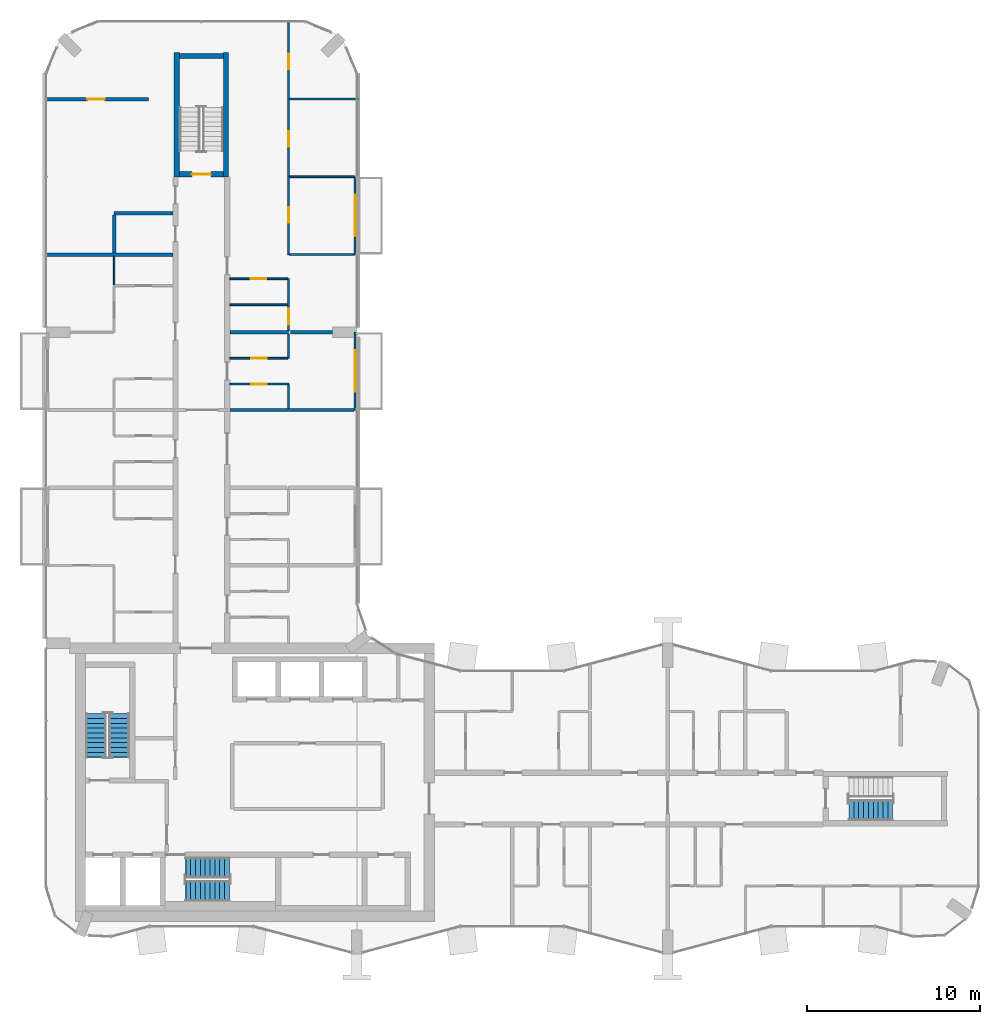
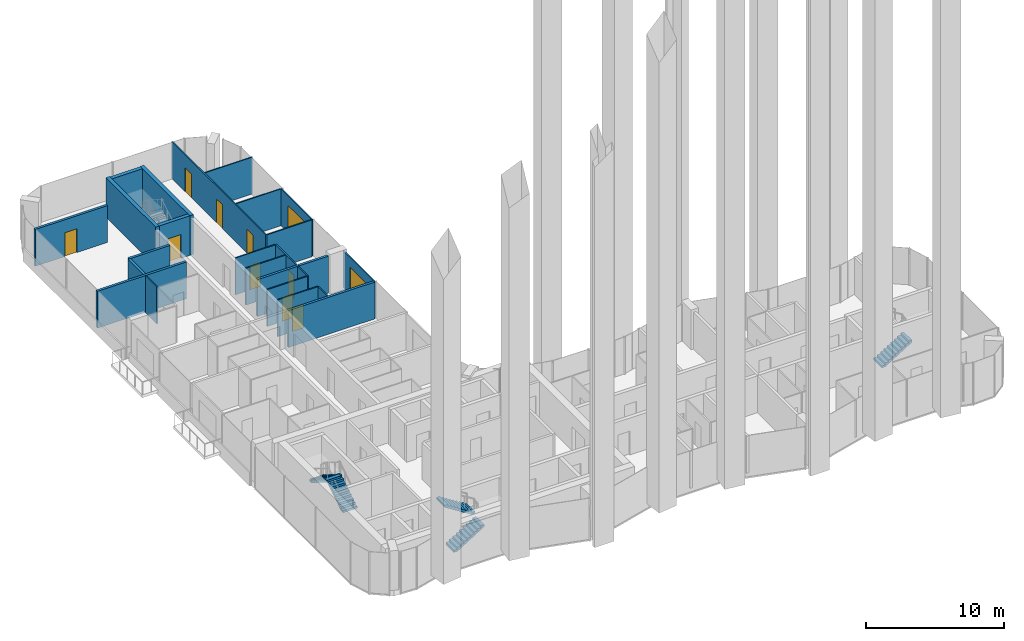
# One storey, part 13 of 18: 25 walls, 11 doors, 5 stair flights, 11 openings, 3 elements without a shape of their own.
"""IFC4 building model written with IfcOpenShell, lengths in metres."""

from ifc_helpers import new_model, si_unit, direction, frame, frame_2d, origin, place, context, subcontext, project, spatial, polyline, rectangle, outline, extrude, material, layer, layer_set, type_object, element, fill, aggregate, save


model = new_model("IFC4")

# Units and contexts
model_context = context("Model", 3, precision=1e-05, world=origin(), true_north=direction((0.0, 1.0)))
body_context = subcontext(model_context, "Body", "Model", "MODEL_VIEW")
ifc_project = project(units=[si_unit("LENGTHUNIT", "METRE"), si_unit("AREAUNIT", "SQUARE_METRE"), si_unit("VOLUMEUNIT", "CUBIC_METRE"), si_unit("PLANEANGLEUNIT", "RADIAN"), si_unit("MASSUNIT", "GRAM", prefix="KILO")], contexts=[model_context])

# Site, building, storey
site_placement = place(None, origin())
site = spatial("IfcSite", under=ifc_project, at=site_placement, CompositionType="ELEMENT")
building_placement = place(site_placement, origin())
building = spatial("IfcBuilding", under=site, at=building_placement, Name="Plateau Cross Towers", CompositionType="ELEMENT")
storey_placement = place(building_placement, frame((0.0, 0.0, 139.39990234375)))
storey = spatial("IfcBuildingStorey", under=building, at=storey_placement, Name="L35", CompositionType="ELEMENT", Elevation=139.39990234375)

# Wall, opening, door
ifc_material_1 = material(Name="Aluminium framed glazing", Category="aluminium")
ifc_layer_1 = layer(ifc_material_1, 0.10009765625)
ifc_layer_set_1 = layer_set([ifc_layer_1], Name="Aluminium framed glazing")
wall_type_1 = type_object("IfcWallType", Name="Balcony screen wall 100", PredefinedType="STANDARD", material=ifc_layer_set_1)
wall_1_placement = place(storey_placement, frame((17.89990234375, 36.0, 0.0), z_axis=(0.0, 0.0, 1.0), x_axis=(0.0, -1.0, 0.0)))
wall_1 = element("IfcWall", 1, at=wall_1_placement, inside=storey, type_object=wall_type_1, Name="Balcony screen wall A-BAL-L35-04", PredefinedType="STANDARD", context=body_context, shape_type="SweptSolid", body=[
    extrude(rectangle(XDim=4.5, YDim=0.10009765625, at=frame_2d((2.25, 0.0))), origin(), (0.0, 0.0, 1.0), 3.25),
])
opening_1_placement = place(wall_1_placement, frame((1.050048828125, 0.0, 0.0)))
opening_1 = element("IfcOpeningElement", 2, at=opening_1_placement, cuts=wall_1, Name="Opening D-B24", PredefinedType="OPENING", context=body_context, shape_type="SweptSolid", body=[
    extrude(rectangle(XDim=2.39990234375, YDim=2.39990234375, at=frame_2d((1.199951171875, 1.199951171875))), frame((0.0, 0.06005859375, 0.0), z_axis=(0.0, -1.0, 0.0), x_axis=(1.0, 0.0, 0.0)), (0.0, 0.0, 1.0), 0.1201171875),
])
ifc_material_2 = material(Name="Aluminium frame, double glazing", Category="aluminium")
door_type_1 = type_object("IfcDoorType", Name="Balcony sliding door 2400", OperationType="NOTDEFINED", PredefinedType="DOOR", material=ifc_material_2)
door_1_placement = place(opening_1_placement, origin())
door_1 = element("IfcDoor", 3, at=door_1_placement, inside=storey, type_object=door_type_1, Name="Balcony door A-BAL-L35-04", OperationType="SINGLE_SWING_LEFT", OverallHeight=2.39990234375, OverallWidth=2.39990234375, PredefinedType="DOOR", context=body_context, shape_type="SweptSolid", body=[
    extrude(rectangle(XDim=2.39990234375, YDim=2.39990234375, at=frame_2d((1.199951171875, 1.199951171875))), frame((0.0, 0.02490234375, 0.0), z_axis=(0.0, -1.0, 0.0), x_axis=(1.0, 0.0, 0.0)), (0.0, 0.0, 1.0), 0.050048828125),
])
fill(opening_1, door_1)

wall_2_placement = place(storey_placement, frame((17.89990234375, 45.0, 0.0), z_axis=(0.0, 0.0, 1.0), x_axis=(0.0, -1.0, 0.0)))
wall_2 = element("IfcWall", 4, at=wall_2_placement, inside=storey, type_object=wall_type_1, Name="Balcony screen wall A-BAL-L35-05", PredefinedType="STANDARD", context=body_context, shape_type="SweptSolid", body=[
    extrude(rectangle(XDim=4.5, YDim=0.10009765625, at=frame_2d((2.25, 0.0))), origin(), (0.0, 0.0, 1.0), 3.25),
])
opening_2_placement = place(wall_2_placement, frame((1.050048828125, 0.0, 0.0)))
opening_2 = element("IfcOpeningElement", 5, at=opening_2_placement, cuts=wall_2, Name="Opening D-B24", PredefinedType="OPENING", context=body_context, shape_type="SweptSolid", body=[
    extrude(rectangle(XDim=2.39990234375, YDim=2.39990234375, at=frame_2d((1.199951171875, 1.199951171875))), frame((0.0, 0.06005859375, 0.0), z_axis=(0.0, -1.0, 0.0), x_axis=(1.0, 0.0, 0.0)), (0.0, 0.0, 1.0), 0.1201171875),
])
door_2_placement = place(opening_2_placement, origin())
door_2 = element("IfcDoor", 6, at=door_2_placement, inside=storey, type_object=door_type_1, Name="Balcony door A-BAL-L35-05", OperationType="SINGLE_SWING_LEFT", OverallHeight=2.39990234375, OverallWidth=2.39990234375, PredefinedType="DOOR", context=body_context, shape_type="SweptSolid", body=[
    extrude(rectangle(XDim=2.39990234375, YDim=2.39990234375, at=frame_2d((1.199951171875, 1.199951171875))), frame((0.0, 0.02490234375, 0.0), z_axis=(0.0, -1.0, 0.0), x_axis=(1.0, 0.0, 0.0)), (0.0, 0.0, 1.0), 0.050048828125),
])
fill(opening_2, door_2)

ifc_material_3 = material(Name="Gypsum board on steel studs", Category="steel")
ifc_layer_2 = layer(ifc_material_3, 0.10009765625)
ifc_layer_set_2 = layer_set([ifc_layer_2], Name="Gypsum board on steel studs")
wall_type_2 = type_object("IfcWallType", Name="Flat partition 100", PredefinedType="PARTITIONING", material=ifc_layer_set_2)
wall_3_placement = place(storey_placement, frame((14.050048828125, 33.0, 0.0), z_axis=(0.0, 0.0, 1.0), x_axis=(-1.0, 0.0, 0.0)))
wall_3 = element("IfcWall", 7, at=wall_3_placement, inside=storey, type_object=wall_type_2, Name="Partition wall", PredefinedType="PARTITIONING", context=body_context, shape_type="SweptSolid", body=[
    extrude(rectangle(XDim=3.400146484375, YDim=0.10009765625, at=frame_2d((1.7001953125, 0.0))), origin(), (0.0, 0.0, 1.0), 3.25),
])
opening_3_placement = place(wall_3_placement, frame((1.25, 0.0, 0.0)))
opening_3 = element("IfcOpeningElement", 8, at=opening_3_placement, cuts=wall_3, Name="Opening 35-48", PredefinedType="OPENING", context=body_context, shape_type="SweptSolid", body=[
    extrude(rectangle(XDim=0.89990234375, YDim=2.10009765625, at=frame_2d((0.449951171875, 1.050048828125))), frame((0.0, 0.06005859375, 0.0), z_axis=(0.0, -1.0, 0.0), x_axis=(1.0, 0.0, 0.0)), (0.0, 0.0, 1.0), 0.1201171875),
])
ifc_material_4 = material(Name="Timber leaf", Category="wood")
door_type_2 = type_object("IfcDoorType", Name="Flat room door 900", OperationType="NOTDEFINED", PredefinedType="DOOR", material=ifc_material_4)
door_3_placement = place(opening_3_placement, origin())
door_3 = element("IfcDoor", 9, at=door_3_placement, inside=storey, type_object=door_type_2, Name="Door 35-48", OperationType="SINGLE_SWING_LEFT", OverallHeight=2.10009765625, OverallWidth=0.89990234375, PredefinedType="DOOR", context=body_context, shape_type="SweptSolid", body=[
    extrude(rectangle(XDim=0.89990234375, YDim=2.10009765625, at=frame_2d((0.449951171875, 1.050048828125))), frame((0.0, 0.02490234375, 0.0), z_axis=(0.0, -1.0, 0.0), x_axis=(1.0, 0.0, 0.0)), (0.0, 0.0, 1.0), 0.050048828125),
])
fill(opening_3, door_3)

wall_4_placement = place(storey_placement, frame((10.64990234375, 34.5, 0.0), z_axis=(0.0, 0.0, 1.0), x_axis=(1.0, 0.0, 0.0)))
wall_4 = element("IfcWall", 10, at=wall_4_placement, inside=storey, type_object=wall_type_2, Name="Partition wall", PredefinedType="PARTITIONING", context=body_context, shape_type="SweptSolid", body=[
    extrude(rectangle(XDim=3.35009765625, YDim=0.10009765625, at=frame_2d((1.675048828125, 0.0))), origin(), (0.0, 0.0, 1.0), 3.25),
])
opening_4_placement = place(wall_4_placement, frame((1.25, 0.0, 0.0)))
opening_4 = element("IfcOpeningElement", 11, at=opening_4_placement, cuts=wall_4, Name="Opening 35-49", PredefinedType="OPENING", context=body_context, shape_type="SweptSolid", body=[
    extrude(rectangle(XDim=0.89990234375, YDim=2.10009765625, at=frame_2d((0.449951171875, 1.050048828125))), frame((0.0, 0.06005859375, 0.0), z_axis=(0.0, -1.0, 0.0), x_axis=(1.0, 0.0, 0.0)), (0.0, 0.0, 1.0), 0.1201171875),
])
door_4_placement = place(opening_4_placement, origin())
door_4 = element("IfcDoor", 12, at=door_4_placement, inside=storey, type_object=door_type_2, Name="Door 35-49", OperationType="SINGLE_SWING_RIGHT", OverallHeight=2.10009765625, OverallWidth=0.89990234375, PredefinedType="DOOR", context=body_context, shape_type="SweptSolid", body=[
    extrude(rectangle(XDim=0.89990234375, YDim=2.10009765625, at=frame_2d((0.449951171875, 1.050048828125))), frame((0.0, 0.02490234375, 0.0), z_axis=(0.0, -1.0, 0.0), x_axis=(1.0, 0.0, 0.0)), (0.0, 0.0, 1.0), 0.050048828125),
])
fill(opening_4, door_4)

# Wall
wall_5_placement = place(storey_placement, frame((14.0, 37.60009765625, 0.0), z_axis=(0.0, 0.0, 1.0), x_axis=(-1.0, 0.0, 0.0)))
element("IfcWall", 13, at=wall_5_placement, inside=storey, type_object=wall_type_2, Name="Partition wall", PredefinedType="PARTITIONING", context=body_context, shape_type="SweptSolid", body=[
    extrude(rectangle(XDim=3.35009765625, YDim=0.10009765625, at=frame_2d((1.675048828125, 0.0))), origin(), (0.0, 0.0, 1.0), 3.25),
])

# Wall, opening, door
wall_6_placement = place(storey_placement, frame((14.0, 39.10009765625, 0.0), z_axis=(0.0, 0.0, 1.0), x_axis=(-1.0, 0.0, 0.0)))
wall_6 = element("IfcWall", 14, at=wall_6_placement, inside=storey, type_object=wall_type_2, Name="Partition wall", PredefinedType="PARTITIONING", context=body_context, shape_type="SweptSolid", body=[
    extrude(rectangle(XDim=3.35009765625, YDim=0.10009765625, at=frame_2d((1.675048828125, 0.0))), origin(), (0.0, 0.0, 1.0), 3.25),
])
opening_5_placement = place(wall_6_placement, frame((1.25, 0.0, 0.0)))
opening_5 = element("IfcOpeningElement", 15, at=opening_5_placement, cuts=wall_6, Name="Opening 35-51", PredefinedType="OPENING", context=body_context, shape_type="SweptSolid", body=[
    extrude(rectangle(XDim=0.89990234375, YDim=2.10009765625, at=frame_2d((0.449951171875, 1.050048828125))), frame((0.0, 0.06005859375, 0.0), z_axis=(0.0, -1.0, 0.0), x_axis=(1.0, 0.0, 0.0)), (0.0, 0.0, 1.0), 0.1201171875),
])
door_5_placement = place(opening_5_placement, origin())
door_5 = element("IfcDoor", 16, at=door_5_placement, inside=storey, type_object=door_type_2, Name="Door 35-51", OperationType="SINGLE_SWING_RIGHT", OverallHeight=2.10009765625, OverallWidth=0.89990234375, PredefinedType="DOOR", context=body_context, shape_type="SweptSolid", body=[
    extrude(rectangle(XDim=0.89990234375, YDim=2.10009765625, at=frame_2d((0.449951171875, 1.050048828125))), frame((0.0, 0.02490234375, 0.0), z_axis=(0.0, -1.0, 0.0), x_axis=(1.0, 0.0, 0.0)), (0.0, 0.0, 1.0), 0.050048828125),
])
fill(opening_5, door_5)

# Walls
for number, where, z_axis, x_axis, name in (
    (17, (14.10009765625, 40.5, 0.0), (0.0, 0.0, 1.0), (1.0, 0.0, 0.0), "Partition wall"),
    (18, (17.85009765625, 45.0, 0.0), (0.0, 0.0, 1.0), (-1.0, 0.0, 0.0), "Partition wall"),
):
    element("IfcWall", number, at=place(storey_placement, frame(where, z_axis=z_axis, x_axis=x_axis)), inside=storey, type_object=wall_type_2, Name=name, PredefinedType="PARTITIONING", context=body_context, shape_type="SweptSolid", body=[
        extrude(rectangle(XDim=3.75, YDim=0.10009765625, at=frame_2d((1.875, 0.0))), origin(), (0.0, 0.0, 1.0), 3.25),
    ])
wall_7_placement = place(storey_placement, frame((18.080078125, 49.5, 0.0), z_axis=(0.0, 0.0, 1.0), x_axis=(-1.0, 0.0, 0.0)))
element("IfcWall", 19, at=wall_7_placement, inside=storey, type_object=wall_type_2, Name="Partition wall", PredefinedType="PARTITIONING", context=body_context, shape_type="SweptSolid", body=[
    extrude(rectangle(XDim=3.97998046875, YDim=0.10009765625, at=frame_2d((1.989990234375, 0.0))), origin(), (0.0, 0.0, 1.0), 3.25),
])
wall_8_placement = place(storey_placement, frame((3.949951171875, 40.39990234375, 0.0), z_axis=(0.0, 0.0, 1.0), x_axis=(0.0, -1.0, 0.0)))
element("IfcWall", 20, at=wall_8_placement, inside=storey, type_object=wall_type_2, Name="Partition wall", PredefinedType="PARTITIONING", context=body_context, shape_type="SweptSolid", body=[
    extrude(rectangle(XDim=1.64990234375, YDim=0.10009765625, at=frame_2d((0.824951171875, 0.0))), origin(), (0.0, 0.0, 1.0), 3.25),
])

# Wall, openings, doors
wall_9_placement = place(storey_placement, frame((14.050048828125, 54.080078125, 0.0), z_axis=(0.0, 0.0, 1.0), x_axis=(0.0, -1.0, 0.0)))
wall_9 = element("IfcWall", 21, at=wall_9_placement, inside=storey, type_object=wall_type_2, Name="Partition wall", PredefinedType="PARTITIONING", context=body_context, shape_type="SweptSolid", body=[
    extrude(rectangle(XDim=13.580078125, YDim=0.10009765625, at=frame_2d((6.7900390625, 0.0))), origin(), (0.0, 0.0, 1.0), 3.25),
])
opening_6_placement = place(wall_9_placement, frame((10.85009765625, 0.0, 0.0)))
opening_6 = element("IfcOpeningElement", 22, at=opening_6_placement, cuts=wall_9, Name="Opening 35-52", PredefinedType="OPENING", context=body_context, shape_type="SweptSolid", body=[
    extrude(rectangle(XDim=0.89990234375, YDim=2.10009765625, at=frame_2d((0.449951171875, 1.050048828125))), frame((0.0, 0.06005859375, 0.0), z_axis=(0.0, -1.0, 0.0), x_axis=(1.0, 0.0, 0.0)), (0.0, 0.0, 1.0), 0.1201171875),
])
opening_7_placement = place(wall_9_placement, frame((6.449951171875, 0.0, 0.0)))
opening_7 = element("IfcOpeningElement", 23, at=opening_7_placement, cuts=wall_9, Name="Opening 35-53", PredefinedType="OPENING", context=body_context, shape_type="SweptSolid", body=[
    extrude(rectangle(XDim=0.89990234375, YDim=2.10009765625, at=frame_2d((0.449951171875, 1.050048828125))), frame((0.0, 0.06005859375, 0.0), z_axis=(0.0, -1.0, 0.0), x_axis=(1.0, 0.0, 0.0)), (0.0, 0.0, 1.0), 0.1201171875),
])
opening_8_placement = place(wall_9_placement, frame((1.949951171875, 0.0, 0.0)))
opening_8 = element("IfcOpeningElement", 24, at=opening_8_placement, cuts=wall_9, Name="Opening 35-54", PredefinedType="OPENING", context=body_context, shape_type="SweptSolid", body=[
    extrude(rectangle(XDim=0.89990234375, YDim=2.10009765625, at=frame_2d((0.449951171875, 1.050048828125))), frame((0.0, 0.06005859375, 0.0), z_axis=(0.0, -1.0, 0.0), x_axis=(1.0, 0.0, 0.0)), (0.0, 0.0, 1.0), 0.1201171875),
])
door_6_placement = place(opening_6_placement, origin())
door_6 = element("IfcDoor", 25, at=door_6_placement, inside=storey, type_object=door_type_2, Name="Door 35-52", OperationType="SINGLE_SWING_RIGHT", OverallHeight=2.10009765625, OverallWidth=0.89990234375, PredefinedType="DOOR", context=body_context, shape_type="SweptSolid", body=[
    extrude(rectangle(XDim=0.89990234375, YDim=2.10009765625, at=frame_2d((0.449951171875, 1.050048828125))), frame((0.0, 0.02490234375, 0.0), z_axis=(0.0, -1.0, 0.0), x_axis=(1.0, 0.0, 0.0)), (0.0, 0.0, 1.0), 0.050048828125),
])
fill(opening_6, door_6)
door_7_placement = place(opening_7_placement, origin())
door_7 = element("IfcDoor", 26, at=door_7_placement, inside=storey, type_object=door_type_2, Name="Door 35-53", OperationType="SINGLE_SWING_RIGHT", OverallHeight=2.10009765625, OverallWidth=0.89990234375, PredefinedType="DOOR", context=body_context, shape_type="SweptSolid", body=[
    extrude(rectangle(XDim=0.89990234375, YDim=2.10009765625, at=frame_2d((0.449951171875, 1.050048828125))), frame((0.0, 0.02490234375, 0.0), z_axis=(0.0, -1.0, 0.0), x_axis=(1.0, 0.0, 0.0)), (0.0, 0.0, 1.0), 0.050048828125),
])
fill(opening_7, door_7)
door_8_placement = place(opening_8_placement, origin())
door_8 = element("IfcDoor", 27, at=door_8_placement, inside=storey, type_object=door_type_2, Name="Door 35-54", OperationType="SINGLE_SWING_LEFT", OverallHeight=2.10009765625, OverallWidth=0.89990234375, PredefinedType="DOOR", context=body_context, shape_type="SweptSolid", body=[
    extrude(rectangle(XDim=0.89990234375, YDim=2.10009765625, at=frame_2d((0.449951171875, 1.050048828125))), frame((0.0, 0.02490234375, 0.0), z_axis=(0.0, -1.0, 0.0), x_axis=(1.0, 0.0, 0.0)), (0.0, 0.0, 1.0), 0.050048828125),
])
fill(opening_8, door_8)

# Walls
wall_10_placement = place(storey_placement, frame((14.050048828125, 31.60009765625, 0.0), z_axis=(0.0, 0.0, 1.0), x_axis=(0.0, 1.0, 0.0)))
element("IfcWall", 28, at=wall_10_placement, inside=storey, type_object=wall_type_2, Name="Partition wall", PredefinedType="PARTITIONING", context=body_context, shape_type="SweptSolid", body=[
    extrude(rectangle(XDim=1.349853515625, YDim=0.10009765625, at=frame_2d((0.6748046875, 0.0))), origin(), (0.0, 0.0, 1.0), 3.25),
])
wall_11_placement = place(storey_placement, frame((14.050048828125, 34.5, 0.0), z_axis=(0.0, 0.0, 1.0), x_axis=(0.0, 1.0, 0.0)))
element("IfcWall", 29, at=wall_11_placement, inside=storey, type_object=wall_type_2, Name="Partition wall", PredefinedType="PARTITIONING", context=body_context, shape_type="SweptSolid", body=[
    extrude(rectangle(XDim=1.39990234375, YDim=0.10009765625, at=frame_2d((0.699951171875, 0.0))), origin(), (0.0, 0.0, 1.0), 3.25),
])

# Wall, opening, door
wall_12_placement = place(storey_placement, frame((14.050048828125, 36.10009765625, 0.0), z_axis=(0.0, 0.0, 1.0), x_axis=(0.0, 1.0, 0.0)))
wall_12 = element("IfcWall", 30, at=wall_12_placement, inside=storey, type_object=wall_type_2, Name="Partition wall", PredefinedType="PARTITIONING", context=body_context, shape_type="SweptSolid", body=[
    extrude(rectangle(XDim=3.0, YDim=0.10009765625, at=frame_2d((1.5, 0.0))), origin(), (0.0, 0.0, 1.0), 3.25),
])
opening_9_placement = place(wall_12_placement, frame((0.35009765625, 0.0, 0.0)))
opening_9 = element("IfcOpeningElement", 31, at=opening_9_placement, cuts=wall_12, Name="Opening 35-50", PredefinedType="OPENING", context=body_context, shape_type="SweptSolid", body=[
    extrude(rectangle(XDim=0.89990234375, YDim=2.10009765625, at=frame_2d((0.449951171875, 1.050048828125))), frame((0.0, 0.06005859375, 0.0), z_axis=(0.0, -1.0, 0.0), x_axis=(1.0, 0.0, 0.0)), (0.0, 0.0, 1.0), 0.1201171875),
])
door_9_placement = place(opening_9_placement, origin())
door_9 = element("IfcDoor", 32, at=door_9_placement, inside=storey, type_object=door_type_2, Name="Door 35-50", OperationType="SINGLE_SWING_LEFT", OverallHeight=2.10009765625, OverallWidth=0.89990234375, PredefinedType="DOOR", context=body_context, shape_type="SweptSolid", body=[
    extrude(rectangle(XDim=0.89990234375, YDim=2.10009765625, at=frame_2d((0.449951171875, 1.050048828125))), frame((0.0, 0.02490234375, 0.0), z_axis=(0.0, -1.0, 0.0), x_axis=(1.0, 0.0, 0.0)), (0.0, 0.0, 1.0), 0.050048828125),
])
fill(opening_9, door_9)

# Walls
ifc_material_5 = material(Name="Gypsum board on steel studs, two layers each side", Category="steel")
ifc_layer_3 = layer(ifc_material_5, 0.199951171875)
ifc_layer_set_3 = layer_set([ifc_layer_3], Name="Gypsum board on steel studs, two layers each side")
wall_type_3 = type_object("IfcWallType", Name="Flat party wall 200", PredefinedType="PARTITIONING", material=ifc_layer_set_3)
wall_13_placement = place(storey_placement, frame((17.85009765625, 31.5, 0.0), z_axis=(0.0, 0.0, 1.0), x_axis=(-1.0, 0.0, 0.0)))
element("IfcWall", 33, at=wall_13_placement, inside=storey, type_object=wall_type_3, Name="Party wall", PredefinedType="PARTITIONING", context=body_context, shape_type="SweptSolid", body=[
    extrude(rectangle(XDim=7.2001953125, YDim=0.199951171875, at=frame_2d((3.60009765625, 0.0))), origin(), (0.0, 0.0, 1.0), 3.25),
])
wall_14_placement = place(storey_placement, frame((14.050048828125, 36.0, 0.0), z_axis=(0.0, 0.0, 1.0), x_axis=(-1.0, 0.0, 0.0)))
element("IfcWall", 34, at=wall_14_placement, inside=storey, type_object=wall_type_3, Name="Party wall", PredefinedType="PARTITIONING", context=body_context, shape_type="SweptSolid", body=[
    extrude(rectangle(XDim=3.400146484375, YDim=0.199951171875, at=frame_2d((1.7001953125, 0.0))), origin(), (0.0, 0.0, 1.0), 3.25),
])
wall_15_placement = place(storey_placement, frame((14.14990234375, 36.0, 0.0), z_axis=(0.0, 0.0, 1.0), x_axis=(1.0, 0.0, 0.0)))
element("IfcWall", 35, at=wall_15_placement, inside=storey, type_object=wall_type_3, Name="Party wall", PredefinedType="PARTITIONING", context=body_context, shape_type="SweptSolid", body=[
    extrude(rectangle(XDim=2.4501953125, YDim=0.199951171875, at=frame_2d((1.22509765625, 0.0))), origin(), (0.0, 0.0, 1.0), 3.25),
])
wall_16_placement = place(storey_placement, frame((7.35009765625, 40.5, 0.0), z_axis=(0.0, 0.0, 1.0), x_axis=(-1.0, 0.0, 0.0)))
element("IfcWall", 36, at=wall_16_placement, inside=storey, type_object=wall_type_3, Name="Party wall", PredefinedType="PARTITIONING", context=body_context, shape_type="SweptSolid", body=[
    extrude(rectangle(XDim=7.43017578125, YDim=0.199951171875, at=frame_2d((3.715087890625, 0.0))), origin(), (0.0, 0.0, 1.0), 3.25),
])
wall_17_placement = place(storey_placement, frame((7.35009765625, 42.89990234375, 0.0), z_axis=(0.0, 0.0, 1.0), x_axis=(-1.0, 0.0, 0.0)))
element("IfcWall", 37, at=wall_17_placement, inside=storey, type_object=wall_type_3, Name="Party wall", PredefinedType="PARTITIONING", context=body_context, shape_type="SweptSolid", body=[
    extrude(rectangle(XDim=3.400146484375, YDim=0.199951171875, at=frame_2d((1.7001953125, 0.0))), origin(), (0.0, 0.0, 1.0), 3.25),
])

# Wall, opening, door
wall_18_placement = place(storey_placement, frame((5.949951171875, 49.5, 0.0), z_axis=(0.0, 0.0, 1.0), x_axis=(-1.0, 0.0, 0.0)))
wall_18 = element("IfcWall", 38, at=wall_18_placement, inside=storey, type_object=wall_type_3, Name="Party wall", PredefinedType="PARTITIONING", context=body_context, shape_type="SweptSolid", body=[
    extrude(rectangle(XDim=6.030029296875, YDim=0.199951171875, at=frame_2d((3.01513671875, 0.0))), origin(), (0.0, 0.0, 1.0), 3.25),
])
opening_10_placement = place(wall_18_placement, frame((2.550048828125, 0.0, 0.0)))
opening_10 = element("IfcOpeningElement", 39, at=opening_10_placement, cuts=wall_18, Name="Opening 35-23", PredefinedType="OPENING", context=body_context, shape_type="SweptSolid", body=[
    extrude(rectangle(XDim=1.0, YDim=2.10009765625, at=frame_2d((0.5, 1.050048828125))), frame((0.0, 0.10986328125, 0.0), z_axis=(0.0, -1.0, 0.0), x_axis=(1.0, 0.0, 0.0)), (0.0, 0.0, 1.0), 0.219970703125),
])
ifc_material_6 = material(Name="Timber, fire-resisting leaf", Category="wood")
door_type_3 = type_object("IfcDoorType", Name="Flat entrance door 1000", OperationType="NOTDEFINED", PredefinedType="DOOR", material=ifc_material_6)
door_10_placement = place(opening_10_placement, origin())
door_10 = element("IfcDoor", 40, at=door_10_placement, inside=storey, type_object=door_type_3, Name="Door 35-23", OperationType="SINGLE_SWING_RIGHT", OverallHeight=2.10009765625, OverallWidth=1.0, PredefinedType="DOOR", context=body_context, shape_type="SweptSolid", body=[
    extrude(rectangle(XDim=1.0, YDim=2.10009765625, at=frame_2d((0.5, 1.050048828125))), frame((0.0, 0.02490234375, 0.0), z_axis=(0.0, -1.0, 0.0), x_axis=(1.0, 0.0, 0.0)), (0.0, 0.0, 1.0), 0.050048828125),
])
fill(opening_10, door_10)

# Wall
wall_19_placement = place(storey_placement, frame((3.949951171875, 42.800048828125, 0.0), z_axis=(0.0, 0.0, 1.0), x_axis=(0.0, -1.0, 0.0)))
element("IfcWall", 41, at=wall_19_placement, inside=storey, type_object=wall_type_3, Name="Party wall", PredefinedType="PARTITIONING", context=body_context, shape_type="SweptSolid", body=[
    extrude(rectangle(XDim=2.199951171875, YDim=0.199951171875, at=frame_2d((1.10009765625, 0.0))), origin(), (0.0, 0.0, 1.0), 3.25),
])

# Wall, opening, door
ifc_material_7 = material(Name="Concrete C60/75", Category="concrete")
ifc_layer_4 = layer(ifc_material_7, 0.300048828125)
ifc_layer_set_4 = layer_set([ifc_layer_4], Name="Concrete C60/75")
wall_type_4 = type_object("IfcWallType", Name="Stair tower wall 300", PredefinedType="SHEAR", material=ifc_layer_set_4)
wall_20_placement = place(storey_placement, frame((7.72509765625, 45.14990234375, 0.0), z_axis=(0.0, 0.0, 1.0), x_axis=(1.0, 0.0, 0.0)))
wall_20 = element("IfcWall", 42, at=wall_20_placement, inside=storey, type_object=wall_type_4, Name="A-end-N-S@L35", PredefinedType="SHEAR", context=body_context, shape_type="SweptSolid", body=[
    extrude(rectangle(XDim=2.5498046875, YDim=0.300048828125, at=frame_2d((1.27490234375, 0.0))), origin(), (0.0, 0.0, 1.0), 3.5),
])
opening_11_placement = place(wall_20_placement, frame((0.72509765625, 0.0, 0.0)))
opening_11 = element("IfcOpeningElement", 43, at=opening_11_placement, cuts=wall_20, Name="Opening SD", PredefinedType="OPENING", context=body_context, shape_type="SweptSolid", body=[
    extrude(rectangle(XDim=1.10009765625, YDim=2.10009765625, at=frame_2d((0.550048828125, 1.050048828125))), frame((0.0, 0.159912109375, 0.0), z_axis=(0.0, -1.0, 0.0), x_axis=(1.0, 0.0, 0.0)), (0.0, 0.0, 1.0), 0.320068359375),
])
ifc_material_8 = material(Name="Steel, fire-resisting leaf", Category="steel")
door_type_4 = type_object("IfcDoorType", Name="Stair door 1100", OperationType="NOTDEFINED", PredefinedType="DOOR", material=ifc_material_8)
door_11_placement = place(opening_11_placement, origin())
door_11 = element("IfcDoor", 44, at=door_11_placement, inside=storey, type_object=door_type_4, Name="Stair door SD", OperationType="SINGLE_SWING_LEFT", OverallHeight=2.10009765625, OverallWidth=1.10009765625, PredefinedType="DOOR", context=body_context, shape_type="SweptSolid", body=[
    extrude(rectangle(XDim=1.10009765625, YDim=2.10009765625, at=frame_2d((0.550048828125, 1.050048828125))), frame((0.0, 0.02490234375, 0.0), z_axis=(0.0, -1.0, 0.0), x_axis=(1.0, 0.0, 0.0)), (0.0, 0.0, 1.0), 0.050048828125),
])
fill(opening_11, door_11)

# Walls
wall_21_placement = place(storey_placement, frame((7.72509765625, 52.0, 0.0), z_axis=(0.0, 0.0, 1.0), x_axis=(1.0, 0.0, 0.0)))
element("IfcWall", 45, at=wall_21_placement, inside=storey, type_object=wall_type_4, Name="A-end-N-N@L35", PredefinedType="SHEAR", context=body_context, shape_type="SweptSolid", body=[
    extrude(rectangle(XDim=2.5498046875, YDim=0.300048828125, at=frame_2d((1.27490234375, 0.0))), origin(), (0.0, 0.0, 1.0), 3.5),
])
for number, where, z_axis, x_axis, name in (
    (46, (7.574951171875, 45.0, 0.0), (0.0, 0.0, 1.0), (0.0, 1.0, 0.0), "A-end-N-W@L35"),
    (47, (10.425048828125, 45.0, 0.0), (0.0, 0.0, 1.0), (0.0, 1.0, 0.0), "A-end-N-E@L35"),
):
    element("IfcWall", number, at=place(storey_placement, frame(where, z_axis=z_axis, x_axis=x_axis)), inside=storey, type_object=wall_type_4, Name=name, PredefinedType="SHEAR", context=body_context, shape_type="SweptSolid", body=[
        extrude(rectangle(XDim=7.199951171875, YDim=0.300048828125, at=frame_2d((3.60009765625, 0.0))), origin(), (0.0, 0.0, 1.0), 3.5),
    ])

# Stair, stair flights
ifc_material_9 = material(Name="Concrete C40/50", Category="concrete")
stair_type = type_object("IfcStairType", Name="ST-TWR", PredefinedType="HALF_TURN_STAIR", material=ifc_material_9)
stair_1_placement = place(storey_placement, origin())
stair_1 = element("IfcStair", 48, at=stair_1_placement, inside=storey, type_object=stair_type, Name="L35 Protected Exit Stair ST-1", PredefinedType="HALF_TURN_STAIR")
stair_flight_type = type_object("IfcStairFlightType", Name="SFL-RC", PredefinedType="STRAIGHT", material=ifc_material_9)
stair_flight_1_placement = place(storey_placement, frame((4.25, 11.39990234375, 0.0), z_axis=(0.0, 0.0, 1.0), x_axis=(0.0, 1.0, 0.0)))
stair_flight_1 = element("IfcStairFlight", 49, at=stair_flight_1_placement, type_object=stair_flight_type, Name="ST-1 flight 1", NumberOfRisers=10, NumberOfTreads=9, PredefinedType="STRAIGHT", RiserHeight=0.175, TreadLength=0.28, context=body_context, shape_type="SweptSolid", body=[
    extrude(outline(polyline([(-0.0048828125, -0.010009765625), (-0.0048828125, 0.0), (0.0, 0.0), (0.0, 0.175048828125), (0.280029296875, 0.175048828125), (0.280029296875, 0.35009765625), (0.56005859375, 0.35009765625), (0.56005859375, 0.52490234375), (0.840087890625, 0.52490234375), (0.840087890625, 0.699951171875), (1.1201171875, 0.699951171875), (1.1201171875, 0.875), (1.39990234375, 0.875), (1.39990234375, 1.050048828125), (1.679931640625, 1.050048828125), (1.679931640625, 1.22509765625), (1.9599609375, 1.22509765625), (1.9599609375, 1.39990234375), (2.239990234375, 1.39990234375), (2.239990234375, 1.574951171875), (2.52001953125, 1.574951171875), (2.52490234375, 1.56494140625), (2.52490234375, 1.398193359375), (2.52001953125, 1.398193359375), (0.28271484375, 0.0), (0.02001953125, 0.0), (0.02001953125, -0.010009765625), (-0.0048828125, -0.010009765625)])), frame((0.0, 0.60009765625, 0.0), z_axis=(0.0, -1.0, 0.0), x_axis=(1.0, 0.0, 0.0)), (0.0, 0.0, 1.0), 1.199951171875),
])
stair_flight_2_placement = place(storey_placement, frame((2.89990234375, 13.919921875, 1.75), z_axis=(0.0, 0.0, 1.0), x_axis=(0.0, -1.0, 0.0)))
stair_flight_2 = element("IfcStairFlight", 50, at=stair_flight_2_placement, type_object=stair_flight_type, Name="ST-1 flight 2", NumberOfRisers=10, NumberOfTreads=9, PredefinedType="STRAIGHT", RiserHeight=0.175, TreadLength=0.28, context=body_context, shape_type="SweptSolid", body=[
    extrude(outline(polyline([(-0.0048828125, -0.010009765625), (-0.0048828125, 0.0), (0.0, 0.0), (0.0, 0.175048828125), (0.280029296875, 0.175048828125), (0.280029296875, 0.35009765625), (0.56005859375, 0.35009765625), (0.56005859375, 0.52490234375), (0.840087890625, 0.52490234375), (0.840087890625, 0.699951171875), (1.1201171875, 0.699951171875), (1.1201171875, 0.875), (1.39990234375, 0.875), (1.39990234375, 1.050048828125), (1.679931640625, 1.050048828125), (1.679931640625, 1.22509765625), (1.9599609375, 1.22509765625), (1.9599609375, 1.39990234375), (2.239990234375, 1.39990234375), (2.239990234375, 1.574951171875), (2.52001953125, 1.574951171875), (2.52490234375, 1.56494140625), (2.52490234375, 1.398193359375), (2.52001953125, 1.398193359375), (0.28271484375, 0.0), (0.02001953125, 0.0), (0.02001953125, -0.010009765625), (-0.0048828125, -0.010009765625)])), frame((0.0, 0.60009765625, 0.0), z_axis=(0.0, -1.0, 0.0), x_axis=(1.0, 0.0, 0.0)), (0.0, 0.0, 1.0), 1.199951171875),
])
aggregate(stair_1, [stair_flight_1, stair_flight_2])

stair_2_placement = place(storey_placement, origin())
stair_2 = element("IfcStair", 51, at=stair_2_placement, inside=storey, type_object=stair_type, Name="L35 Protected Exit Stair ST-2", PredefinedType="HALF_TURN_STAIR")
stair_flight_3_placement = place(storey_placement, frame((8.10009765625, 3.64990234375, 0.0), z_axis=(0.0, 0.0, 1.0), x_axis=(1.0, 0.0, 0.0)))
stair_flight_3 = element("IfcStairFlight", 52, at=stair_flight_3_placement, type_object=stair_flight_type, Name="ST-2 flight 1", NumberOfRisers=10, NumberOfTreads=9, PredefinedType="STRAIGHT", RiserHeight=0.175, TreadLength=0.28, context=body_context, shape_type="SweptSolid", body=[
    extrude(outline(polyline([(-0.0048828125, -0.010009765625), (-0.0048828125, 0.0), (0.0, 0.0), (0.0, 0.175048828125), (0.280029296875, 0.175048828125), (0.280029296875, 0.35009765625), (0.56005859375, 0.35009765625), (0.56005859375, 0.52490234375), (0.840087890625, 0.52490234375), (0.840087890625, 0.699951171875), (1.1201171875, 0.699951171875), (1.1201171875, 0.875), (1.39990234375, 0.875), (1.39990234375, 1.050048828125), (1.679931640625, 1.050048828125), (1.679931640625, 1.22509765625), (1.9599609375, 1.22509765625), (1.9599609375, 1.39990234375), (2.239990234375, 1.39990234375), (2.239990234375, 1.574951171875), (2.52001953125, 1.574951171875), (2.52490234375, 1.56494140625), (2.52490234375, 1.398193359375), (2.52001953125, 1.398193359375), (0.28271484375, 0.0), (0.02001953125, 0.0), (0.02001953125, -0.010009765625), (-0.0048828125, -0.010009765625)])), frame((0.0, 0.60009765625, 0.0), z_axis=(0.0, -1.0, 0.0), x_axis=(1.0, 0.0, 0.0)), (0.0, 0.0, 1.0), 1.199951171875),
])
stair_flight_4_placement = place(storey_placement, frame((10.6201171875, 5.0, 1.75), z_axis=(0.0, 0.0, 1.0), x_axis=(-1.0, 0.0, 0.0)))
stair_flight_4 = element("IfcStairFlight", 53, at=stair_flight_4_placement, type_object=stair_flight_type, Name="ST-2 flight 2", NumberOfRisers=10, NumberOfTreads=9, PredefinedType="STRAIGHT", RiserHeight=0.175, TreadLength=0.28, context=body_context, shape_type="SweptSolid", body=[
    extrude(outline(polyline([(-0.0048828125, -0.010009765625), (-0.0048828125, 0.0), (0.0, 0.0), (0.0, 0.175048828125), (0.280029296875, 0.175048828125), (0.280029296875, 0.35009765625), (0.56005859375, 0.35009765625), (0.56005859375, 0.52490234375), (0.840087890625, 0.52490234375), (0.840087890625, 0.699951171875), (1.1201171875, 0.699951171875), (1.1201171875, 0.875), (1.39990234375, 0.875), (1.39990234375, 1.050048828125), (1.679931640625, 1.050048828125), (1.679931640625, 1.22509765625), (1.9599609375, 1.22509765625), (1.9599609375, 1.39990234375), (2.239990234375, 1.39990234375), (2.239990234375, 1.574951171875), (2.52001953125, 1.574951171875), (2.52490234375, 1.56494140625), (2.52490234375, 1.398193359375), (2.52001953125, 1.398193359375), (0.28271484375, 0.0), (0.02001953125, 0.0), (0.02001953125, -0.010009765625), (-0.0048828125, -0.010009765625)])), frame((0.0, 0.60009765625, 0.0), z_axis=(0.0, -1.0, 0.0), x_axis=(1.0, 0.0, 0.0)), (0.0, 0.0, 1.0), 1.199951171875),
])
aggregate(stair_2, [stair_flight_3, stair_flight_4])

# Stair, stair flight
stair_3_placement = place(storey_placement, origin())
stair_3 = element("IfcStair", 54, at=stair_3_placement, inside=storey, type_object=stair_type, Name="L35 Protected Exit Stair E", PredefinedType="HALF_TURN_STAIR")
stair_flight_5_placement = place(storey_placement, frame((46.5, 8.324951171875, 0.0), z_axis=(0.0, 0.0, 1.0), x_axis=(1.0, 0.0, 0.0)))
stair_flight_5 = element("IfcStairFlight", 55, at=stair_flight_5_placement, type_object=stair_flight_type, Name="ES-E flight 1", NumberOfRisers=10, NumberOfTreads=9, PredefinedType="STRAIGHT", RiserHeight=0.175, TreadLength=0.28, context=body_context, shape_type="SweptSolid", body=[
    extrude(outline(polyline([(-0.0048828125, -0.010009765625), (-0.0048828125, 0.0), (0.0, 0.0), (0.0, 0.175048828125), (0.280029296875, 0.175048828125), (0.280029296875, 0.35009765625), (0.56005859375, 0.35009765625), (0.56005859375, 0.52490234375), (0.840087890625, 0.52490234375), (0.840087890625, 0.699951171875), (1.1201171875, 0.699951171875), (1.1201171875, 0.875), (1.39990234375, 0.875), (1.39990234375, 1.050048828125), (1.679931640625, 1.050048828125), (1.679931640625, 1.22509765625), (1.9599609375, 1.22509765625), (1.9599609375, 1.39990234375), (2.239990234375, 1.39990234375), (2.239990234375, 1.574951171875), (2.52001953125, 1.574951171875), (2.52490234375, 1.56494140625), (2.52490234375, 1.398193359375), (2.52001953125, 1.398193359375), (0.28271484375, 0.0), (0.02001953125, 0.0), (0.02001953125, -0.010009765625), (-0.0048828125, -0.010009765625)])), frame((0.0, 0.60009765625, 0.0), z_axis=(0.0, -1.0, 0.0), x_axis=(1.0, 0.0, 0.0)), (0.0, 0.0, 1.0), 1.199951171875),
])
aggregate(stair_3, [stair_flight_5])

save(model, "model.ifc")
